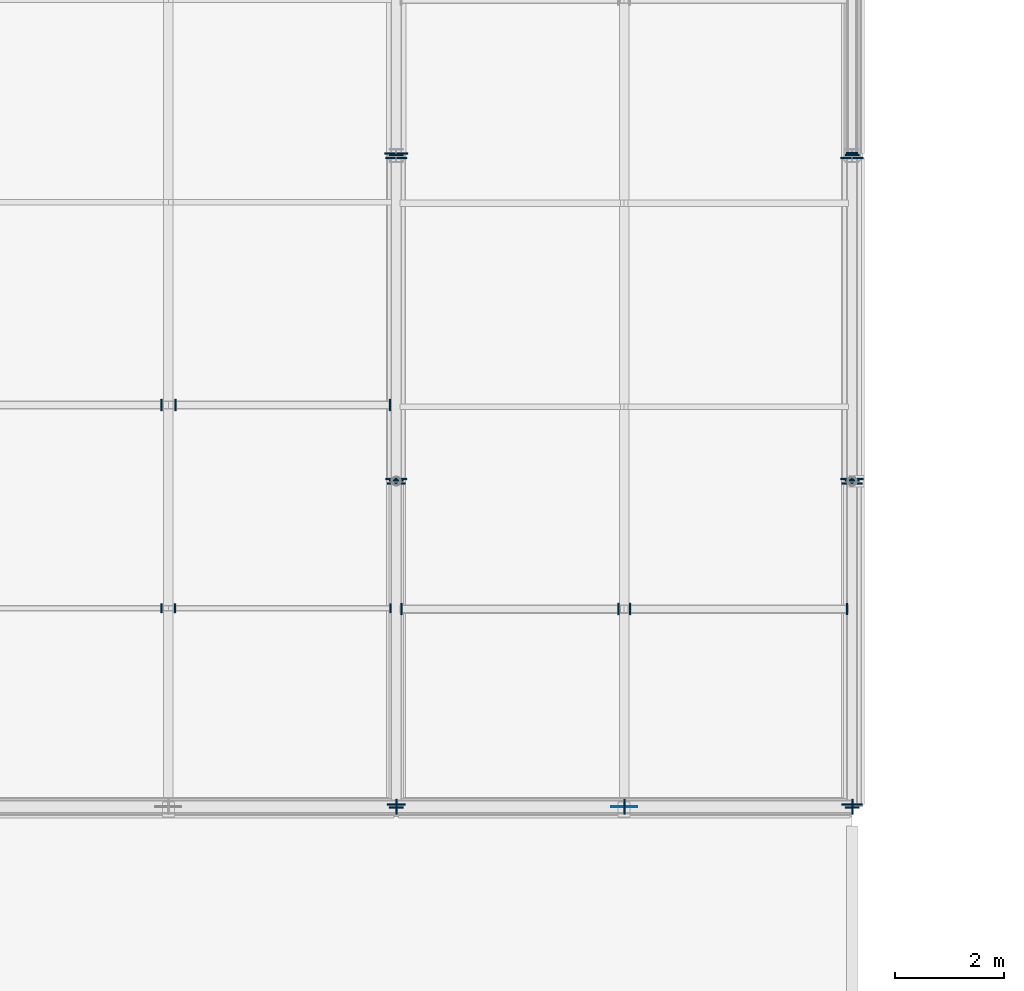
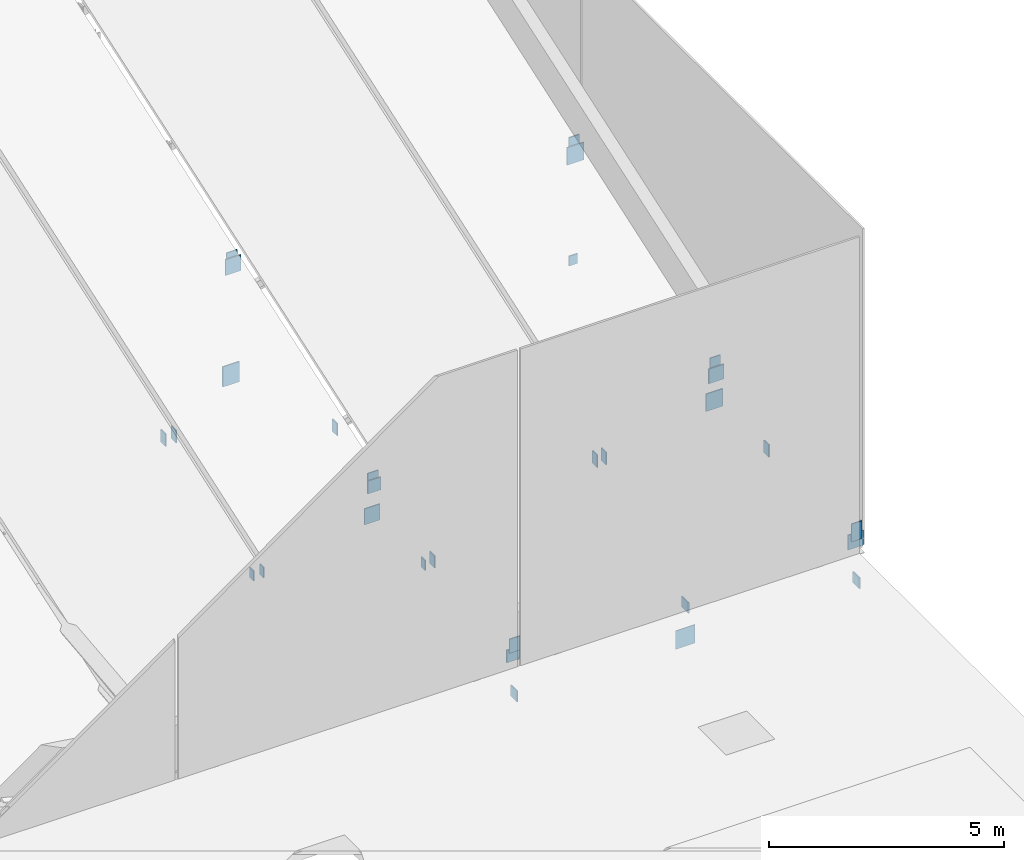
# One storey, part 64 of 77: 30 plates.
"""IFC4 building model written with IfcOpenShell, lengths in metres."""

from ifc_helpers import new_model, si_unit, direction, frame, origin, origin_2d, place, context, subcontext, project, spatial, rectangle, extrude, material, layer, layer_set, type_object, element, save


model = new_model("IFC4")

# Units and contexts
model_context = context("Model", 3, precision=1e-05, world=origin(), true_north=direction((0.0, 1.0)))
body_context = subcontext(model_context, "Body", "Model", "MODEL_VIEW")
ifc_project = project(units=[si_unit("LENGTHUNIT", "METRE"), si_unit("AREAUNIT", "SQUARE_METRE"), si_unit("VOLUMEUNIT", "CUBIC_METRE"), si_unit("PLANEANGLEUNIT", "RADIAN"), si_unit("MASSUNIT", "GRAM", prefix="KILO")], contexts=[model_context])

# Site, building, storey
site_placement = place(None, origin())
site = spatial("IfcSite", under=ifc_project, at=site_placement, CompositionType="ELEMENT")
building_placement = place(site_placement, origin())
building = spatial("IfcBuilding", under=site, at=building_placement, Name="Larkvane Passage Sports Hall", CompositionType="ELEMENT")
storey_placement = place(building_placement, frame((0.0, 0.0, 22.199951171875)))
storey = spatial("IfcBuildingStorey", under=building, at=storey_placement, Name="RF", CompositionType="ELEMENT", Elevation=22.199951171875)

# Plates
ifc_material_1 = material(Name="Steel S355JR", Category="steel")
ifc_layer_1 = layer(ifc_material_1, 0.011962890625)
ifc_layer_set_1 = layer_set([ifc_layer_1], Name="Steel S355JR")
plate_type_1 = type_object("IfcPlateType", Name="PLT-CAP-12", PredefinedType="SHEET", material=ifc_layer_set_1)
for number, where, z_axis, x_axis, name in (
    (1, (85.199951171875, 39.64404296875, 0.04931640625), (0.0, 0.0, 1.0), (-1.0, 0.0, 0.0), "Hollow section sealed end cap plate 0323"),
    (2, (85.199951171875, 45.555908203125, 0.848388671875), (0.0, 0.0, 1.0), (-1.0, 0.0, 0.0), "Hollow section sealed end cap plate 0324"),
):
    element("IfcPlate", number, at=place(storey_placement, frame(where, z_axis=z_axis, x_axis=x_axis)), inside=storey, type_object=plate_type_1, Name=name, PredefinedType="SHEET", context=body_context, shape_type="SweptSolid", body=[
        extrude(rectangle(XDim=0.326904296875, YDim=0.028076171875, at=origin_2d()), origin(), (0.0, 0.0, 1.0), 0.330078125),
    ])
plate_1_placement = place(storey_placement, frame((93.60009765625, 51.6455078125, 0.109375), z_axis=(0.0, 0.0, 1.0), x_axis=(-1.0, 0.0, 0.0)))
element("IfcPlate", 3, at=plate_1_placement, inside=storey, type_object=plate_type_1, Name="Hollow section sealed end cap plate 0349", PredefinedType="SHEET", context=body_context, shape_type="SweptSolid", body=[
    extrude(rectangle(XDim=0.2099609375, YDim=0.028076171875, at=origin_2d()), origin(), (0.0, 0.0, 1.0), 0.25390625),
])
for number, where, z_axis, x_axis, name in (
    (4, (85.205810546875, 39.60009765625, -0.92138671875), (0.0, 0.0, 1.0), (0.0, 1.0, 0.0), "Hollow section sealed end cap plate 0380"),
    (5, (89.406005859375, 39.60009765625, -0.0888671875), (0.0, 0.0, 1.0), (0.0, 1.0, 0.0), "Hollow section sealed end cap plate 0382"),
    (6, (93.60595703125, 39.60009765625, -0.92138671875), (0.0, 0.0, 1.0), (0.0, 1.0, 0.0), "Hollow section sealed end cap plate 0383"),
):
    element("IfcPlate", number, at=place(storey_placement, frame(where, z_axis=z_axis, x_axis=x_axis)), inside=storey, type_object=plate_type_1, Name=name, PredefinedType="SHEET", context=body_context, shape_type="SweptSolid", body=[
        extrude(rectangle(XDim=0.27587890625, YDim=0.028076171875, at=origin_2d()), origin(), (0.0, 0.0, 1.0), 0.280029296875),
    ])
plate_2_placement = place(storey_placement, frame((81.121826171875, 43.26025390625, 1.4775390625), z_axis=(0.0, 0.0, 1.0), x_axis=(0.0, 1.0, 0.0)))
element("IfcPlate", 7, at=plate_2_placement, inside=storey, type_object=plate_type_1, Name="Hollow section sealed end cap plate 0482", PredefinedType="SHEET", context=body_context, shape_type="SweptSolid", body=[
    extrude(rectangle(XDim=0.159912109375, YDim=0.028076171875, at=origin_2d()), origin(), (0.0, 0.0, 1.0), 0.26806640625),
])
plate_3_placement = place(storey_placement, frame((81.12841796875, 47.00830078125, 2.720703125), z_axis=(0.0, 0.0, 1.0), x_axis=(0.0, 1.0, 0.0)))
element("IfcPlate", 8, at=plate_3_placement, inside=storey, type_object=plate_type_1, Name="Hollow section sealed end cap plate 0484", PredefinedType="SHEET", context=body_context, shape_type="SweptSolid", body=[
    extrude(rectangle(XDim=0.2099609375, YDim=0.028076171875, at=origin_2d()), origin(), (0.0, 0.0, 1.0), 0.320068359375),
])
for number, where, z_axis, x_axis, name in (
    (9, (80.878173828125, 43.26025390625, 1.4775390625), (0.0, 0.0, 1.0), (0.0, 1.0, 0.0), "Hollow section sealed end cap plate 0487"),
    (10, (85.08984375, 43.26025390625, 0.2744140625), (0.0, 0.0, 1.0), (0.0, 1.0, 0.0), "Hollow section sealed end cap plate 0488"),
):
    element("IfcPlate", number, at=place(storey_placement, frame(where, z_axis=z_axis, x_axis=x_axis)), inside=storey, type_object=plate_type_1, Name=name, PredefinedType="SHEET", context=body_context, shape_type="SweptSolid", body=[
        extrude(rectangle(XDim=0.159912109375, YDim=0.028076171875, at=origin_2d()), origin(), (0.0, 0.0, 1.0), 0.26806640625),
    ])
for number, where, z_axis, x_axis, name in (
    (11, (80.87158203125, 47.00830078125, 2.720703125), (0.0, 0.0, 1.0), (0.0, 1.0, 0.0), "Hollow section sealed end cap plate 0489"),
    (12, (85.083251953125, 47.00830078125, 1.517578125), (0.0, 0.0, 1.0), (0.0, 1.0, 0.0), "Hollow section sealed end cap plate 0490"),
    (13, (85.2958984375, 43.242919921875, 0.29833984375), (0.0, 0.0, 1.0), (0.0, 1.0, 0.0), "Hollow section sealed end cap plate 0505"),
    (14, (89.50732421875, 43.242919921875, 1.501953125), (0.0, 0.0, 1.0), (0.0, 1.0, 0.0), "Hollow section sealed end cap plate 0506"),
    (15, (89.29248046875, 43.242919921875, 1.501953125), (0.0, 0.0, 1.0), (0.0, 1.0, 0.0), "Hollow section sealed end cap plate 0511"),
    (16, (93.504150390625, 43.242919921875, 0.29833984375), (0.0, 0.0, 1.0), (0.0, 1.0, 0.0), "Hollow section sealed end cap plate 0512"),
):
    element("IfcPlate", number, at=place(storey_placement, frame(where, z_axis=z_axis, x_axis=x_axis)), inside=storey, type_object=plate_type_1, Name=name, PredefinedType="SHEET", context=body_context, shape_type="SweptSolid", body=[
        extrude(rectangle(XDim=0.2099609375, YDim=0.028076171875, at=origin_2d()), origin(), (0.0, 0.0, 1.0), 0.320068359375),
    ])
ifc_material_2 = material(Name="Steel S460N", Category="steel")
ifc_layer_2 = layer(ifc_material_2, 0.02001953125)
ifc_layer_set_2 = layer_set([ifc_layer_2], Name="Steel S460N")
plate_type_2 = type_object("IfcPlateType", Name="PLT-CAP-20", PredefinedType="SHEET", material=ifc_layer_set_2)
for number, where, z_axis, x_axis, name in (
    (17, (85.199951171875, 39.590087890625, 0.31787109375), (0.0, 0.0, 1.0), (-1.0, 0.0, 0.0), "Hollow section sealed end cap plate 0321"),
    (18, (85.199951171875, 45.60986328125, 0.97265625), (0.0, 0.0, 1.0), (-1.0, 0.0, 0.0), "Hollow section sealed end cap plate 0322"),
):
    element("IfcPlate", number, at=place(storey_placement, frame(where, z_axis=z_axis, x_axis=x_axis)), inside=storey, type_object=plate_type_2, Name=name, PredefinedType="SHEET", context=body_context, shape_type="SweptSolid", body=[
        extrude(rectangle(XDim=0.260009765625, YDim=0.028076171875, at=origin_2d()), origin(), (0.0, 0.0, 1.0), 0.362060546875),
    ])
plate_4_placement = place(storey_placement, frame((85.199951171875, 51.609619140625, 3.040283203125), z_axis=(0.0, 0.0, 1.0), x_axis=(-1.0, 0.0, 0.0)))
element("IfcPlate", 19, at=plate_4_placement, inside=storey, type_object=plate_type_2, Name="Hollow section sealed end cap plate 0325", PredefinedType="SHEET", context=body_context, shape_type="SweptSolid", body=[
    extrude(rectangle(XDim=0.260009765625, YDim=0.028076171875, at=origin_2d()), origin(), (0.0, 0.0, 1.0), 0.376953125),
])
for number, where, z_axis, x_axis, name in (
    (20, (85.199951171875, 45.64111328125, 0.003662109375), (0.0, 0.0, 1.0), (-1.0, 0.0, 0.0), "Hollow section sealed end cap plate 0326"),
    (21, (85.199951171875, 51.55908203125, 2.8828125), (0.0, 0.0, 1.0), (-1.0, 0.0, 0.0), "Hollow section sealed end cap plate 0327"),
):
    element("IfcPlate", number, at=place(storey_placement, frame(where, z_axis=z_axis, x_axis=x_axis)), inside=storey, type_object=plate_type_2, Name=name, PredefinedType="SHEET", context=body_context, shape_type="SweptSolid", body=[
        extrude(rectangle(XDim=0.37890625, YDim=0.028076171875, at=origin_2d()), origin(), (0.0, 0.0, 1.0), 0.4140625),
    ])
plate_5_placement = place(storey_placement, frame((85.199951171875, 51.642333984375, -0.05322265625), z_axis=(0.0, 0.0, 1.0), x_axis=(-1.0, 0.0, 0.0)))
element("IfcPlate", 22, at=plate_5_placement, inside=storey, type_object=plate_type_2, Name="Hollow section sealed end cap plate 0329", PredefinedType="SHEET", context=body_context, shape_type="SweptSolid", body=[
    extrude(rectangle(XDim=0.416015625, YDim=0.028076171875, at=origin_2d()), origin(), (0.0, 0.0, 1.0), 0.52392578125),
])
for number, where, z_axis, x_axis, name in (
    (23, (93.60009765625, 39.590087890625, 0.26806640625), (0.0, 0.0, 1.0), (-1.0, 0.0, 0.0), "Hollow section sealed end cap plate 0341"),
    (24, (93.60009765625, 45.60986328125, 0.9228515625), (0.0, 0.0, 1.0), (-1.0, 0.0, 0.0), "Hollow section sealed end cap plate 0342"),
):
    element("IfcPlate", number, at=place(storey_placement, frame(where, z_axis=z_axis, x_axis=x_axis)), inside=storey, type_object=plate_type_2, Name=name, PredefinedType="SHEET", context=body_context, shape_type="SweptSolid", body=[
        extrude(rectangle(XDim=0.260009765625, YDim=0.028076171875, at=origin_2d()), origin(), (0.0, 0.0, 1.0), 0.4619140625),
    ])
for number, where, z_axis, x_axis, name in (
    (25, (93.60009765625, 39.64013671875, 0.04833984375), (0.0, 0.0, 1.0), (-1.0, 0.0, 0.0), "Hollow section sealed end cap plate 0343"),
    (26, (93.60009765625, 45.559814453125, 0.7734375), (0.0, 0.0, 1.0), (-1.0, 0.0, 0.0), "Hollow section sealed end cap plate 0344"),
):
    element("IfcPlate", number, at=place(storey_placement, frame(where, z_axis=z_axis, x_axis=x_axis)), inside=storey, type_object=plate_type_2, Name=name, PredefinedType="SHEET", context=body_context, shape_type="SweptSolid", body=[
        extrude(rectangle(XDim=0.37890625, YDim=0.028076171875, at=origin_2d()), origin(), (0.0, 0.0, 1.0), 0.381103515625),
    ])
plate_6_placement = place(storey_placement, frame((93.60009765625, 51.609619140625, 2.9873046875), z_axis=(0.0, 0.0, 1.0), x_axis=(-1.0, 0.0, 0.0)))
element("IfcPlate", 27, at=plate_6_placement, inside=storey, type_object=plate_type_2, Name="Hollow section sealed end cap plate 0345", PredefinedType="SHEET", context=body_context, shape_type="SweptSolid", body=[
    extrude(rectangle(XDim=0.260009765625, YDim=0.028076171875, at=origin_2d()), origin(), (0.0, 0.0, 1.0), 0.48291015625),
])
for number, where, z_axis, x_axis, name in (
    (28, (93.60009765625, 45.64111328125, 0.00927734375), (0.0, 0.0, 1.0), (-1.0, 0.0, 0.0), "Hollow section sealed end cap plate 0346"),
    (29, (93.60009765625, 51.55908203125, 2.8134765625), (0.0, 0.0, 1.0), (-1.0, 0.0, 0.0), "Hollow section sealed end cap plate 0347"),
):
    element("IfcPlate", number, at=place(storey_placement, frame(where, z_axis=z_axis, x_axis=x_axis)), inside=storey, type_object=plate_type_2, Name=name, PredefinedType="SHEET", context=body_context, shape_type="SweptSolid", body=[
        extrude(rectangle(XDim=0.416015625, YDim=0.028076171875, at=origin_2d()), origin(), (0.0, 0.0, 1.0), 0.452880859375),
    ])
ifc_layer_3 = layer(ifc_material_2, 0.01611328125)
ifc_layer_set_3 = layer_set([ifc_layer_3], Name="Steel S460N")
plate_type_3 = type_object("IfcPlateType", Name="PLT-GUS-16", PredefinedType="USERDEFINED", material=ifc_layer_set_3)
plate_7_placement = place(storey_placement, frame((89.39990234375, 39.60009765625, -1.02001953125), z_axis=(0.0, 0.0, 1.0), x_axis=(1.0, 0.0, 0.0)))
element("IfcPlate", 30, at=plate_7_placement, inside=storey, type_object=plate_type_3, Name="Brace connection gusset plate 0384", ObjectType="GUSSET PLATE", PredefinedType="USERDEFINED", context=body_context, shape_type="SweptSolid", body=[
    extrude(rectangle(XDim=0.47998046875, YDim=0.01611328125, at=origin_2d()), origin(), (0.0, 0.0, 1.0), 0.47998046875),
])

save(model, "model.ifc")
